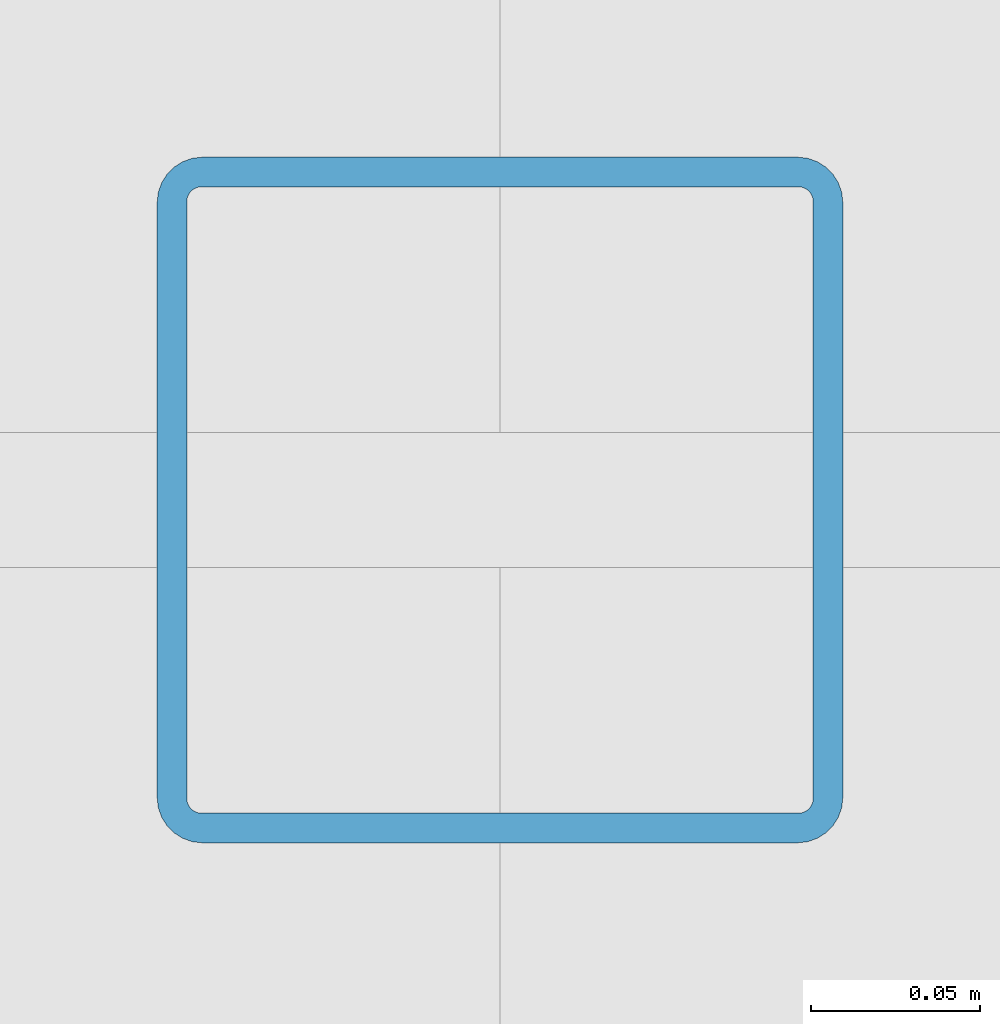
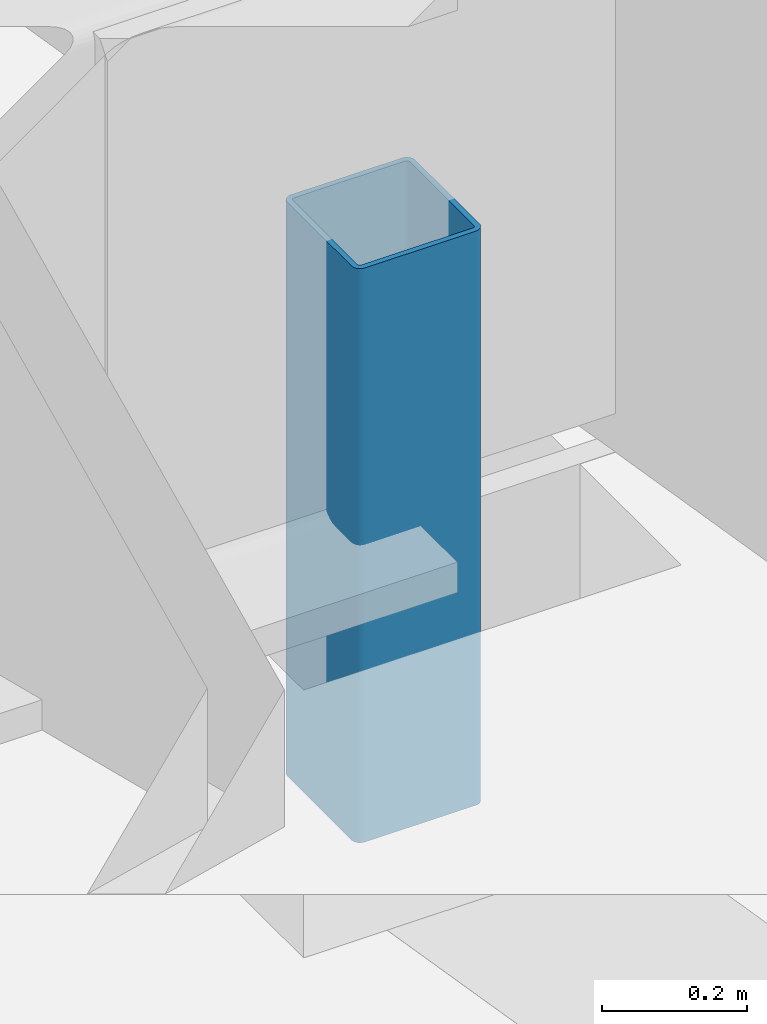
# One storey, part 5 of 27: 1 member.
"""IFC4 building model written with IfcOpenShell, lengths in metres."""

from ifc_helpers import new_model, si_unit, direction, frame, origin, origin_2d, place, context, subcontext, project, spatial, hollow_rectangle, extrude, material, material_profile, profile_set, type_object, element, save


model = new_model("IFC4")

# Units and contexts
model_context = context("Model", 3, precision=1e-05, world=origin(), true_north=direction((0.0, 1.0)))
body_context = subcontext(model_context, "Body", "Model", "MODEL_VIEW")
ifc_project = project(units=[si_unit("LENGTHUNIT", "METRE"), si_unit("AREAUNIT", "SQUARE_METRE"), si_unit("VOLUMEUNIT", "CUBIC_METRE"), si_unit("PLANEANGLEUNIT", "RADIAN"), si_unit("MASSUNIT", "GRAM", prefix="KILO")], contexts=[model_context])

# Site, building, storey
site_placement = place(None, origin())
site = spatial("IfcSite", under=ifc_project, at=site_placement, CompositionType="ELEMENT")
building_placement = place(site_placement, origin())
building = spatial("IfcBuilding", under=site, at=building_placement, Name="Trine Commons Tower", CompositionType="ELEMENT")
storey_placement = place(building_placement, frame((0.0, 0.0, 230.39990234375)))
storey = spatial("IfcBuildingStorey", under=building, at=storey_placement, Name="L60", CompositionType="ELEMENT", Elevation=230.39990234375)

# Member
ifc_material = material(Name="Structural steel ASTM A500 Gr C", Category="steel")
ifc_material_profile = material_profile(ifc_material, hollow_rectangle(XDim=0.203125, YDim=0.203125, WallThickness=0.0087890625, InnerFilletRadius=0.00439453125, OuterFilletRadius=0.013427734375, at=origin_2d()), Name="HSS8X8X3/8")
ifc_profile_set = profile_set([ifc_material_profile], Name="Structural steel ASTM A500 Gr C")
member_type = type_object("IfcMemberType", Name="Steel post HSS8X8X3/8, ASTM A500 Gr C", PredefinedType="POST", material=ifc_profile_set)
member_placement = place(storey_placement, frame((97.886962890625, 62.5, -0.449951171875), z_axis=(0.0, 0.0, 1.0), x_axis=(1.0, 0.0, 0.0)))
element("IfcMember", 1, at=member_placement, inside=storey, type_object=member_type, Name="Outrigger truss post T6-OS-03", PredefinedType="POST", context=body_context, shape_type="SweptSolid", body=[
    extrude(hollow_rectangle(XDim=0.203125, YDim=0.203125, WallThickness=0.0087890625, InnerFilletRadius=0.00439453125, OuterFilletRadius=0.013427734375, at=origin_2d()), origin(), (0.0, 0.0, 1.0), 0.96435546875),
])

save(model, "model.ifc")
